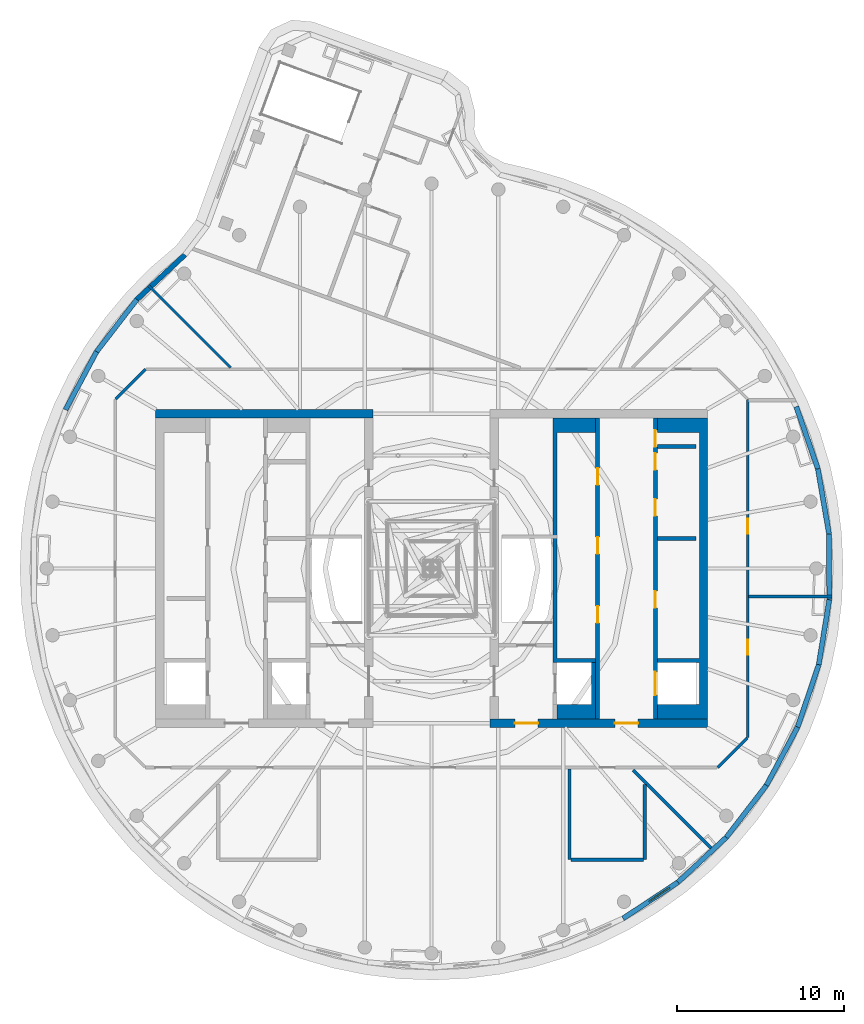
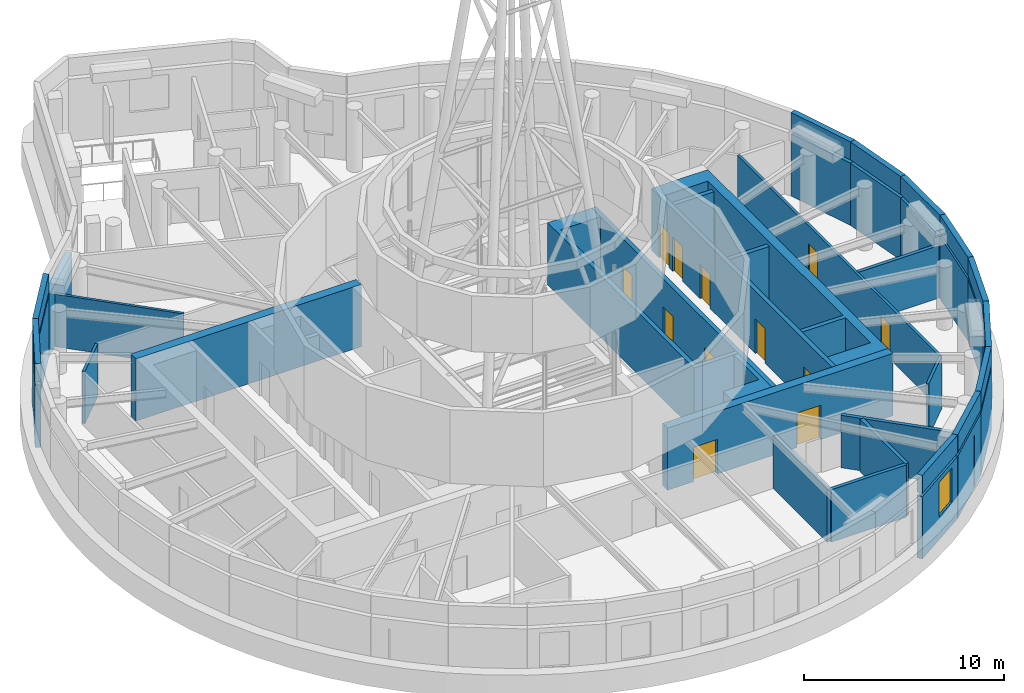
# One storey, part 13 of 17: 41 walls, 12 doors, 1 window, 13 openings.
"""IFC4 building model written with IfcOpenShell, lengths in metres."""

from ifc_helpers import new_model, si_unit, direction, frame, frame_2d, origin, place, context, subcontext, project, spatial, polyline, rectangle, outline, extrude, material, layer, layer_set, type_object, element, fill, save


model = new_model("IFC4")

# Units and contexts
model_context = context("Model", 3, precision=1e-05, world=origin(), true_north=direction((0.0, 1.0)))
body_context = subcontext(model_context, "Body", "Model", "MODEL_VIEW")
ifc_project = project(units=[si_unit("LENGTHUNIT", "METRE"), si_unit("AREAUNIT", "SQUARE_METRE"), si_unit("VOLUMEUNIT", "CUBIC_METRE"), si_unit("PLANEANGLEUNIT", "RADIAN"), si_unit("MASSUNIT", "GRAM", prefix="KILO")], contexts=[model_context])

# Site, building, storey
site_placement = place(None, origin())
site = spatial("IfcSite", under=ifc_project, at=site_placement, CompositionType="ELEMENT")
building_placement = place(site_placement, origin())
building = spatial("IfcBuilding", under=site, at=building_placement, Name="Tamarind Cross Interchange Tower", CompositionType="ELEMENT")
storey_placement = place(building_placement, frame((0.0, 0.0, 325.39990234375)))
storey = spatial("IfcBuildingStorey", under=building, at=storey_placement, Name="L80", CompositionType="ELEMENT", Elevation=325.39990234375)

# Wall
ifc_material_1 = material(Name="Concrete C50", Category="concrete")
ifc_layer_1 = layer(ifc_material_1, 0.5)
ifc_layer_set_1 = layer_set([ifc_layer_1], Name="Concrete C50")
wall_type_1 = type_object("IfcWallType", Name="Core wall 500 mm Concrete C50", PredefinedType="SHEAR", material=ifc_layer_set_1)
wall_1_placement = place(storey_placement, frame((-16.5, 9.25, 0.0), z_axis=(0.0, 0.0, 1.0), x_axis=(1.0, 0.0, 0.0)))
element("IfcWall", 1, at=wall_1_placement, inside=storey, type_object=wall_type_1, Name="Core wall CWL-L80-W-NE", PredefinedType="SHEAR", context=body_context, shape_type="SweptSolid", body=[
    extrude(rectangle(XDim=13.0, YDim=0.5, at=frame_2d((6.5, 0.0))), origin(), (0.0, 0.0, 1.0), 3.800048828125),
])

# Wall, openings, doors
wall_2_placement = place(storey_placement, frame((16.5, -9.25, 0.0), z_axis=(0.0, 0.0, 1.0), x_axis=(-1.0, 0.0, 0.0)))
wall_2 = element("IfcWall", 2, at=wall_2_placement, inside=storey, type_object=wall_type_1, Name="Core wall CWL-L80-E-S", PredefinedType="SHEAR", context=body_context, shape_type="SweptSolid", body=[
    extrude(rectangle(XDim=13.0, YDim=0.5, at=frame_2d((6.5, 0.0))), origin(), (0.0, 0.0, 1.0), 3.800048828125),
])
opening_1_placement = place(wall_2_placement, frame((4.14990234375, 0.0, 0.0)))
opening_1 = element("IfcOpeningElement", 3, at=opening_1_placement, cuts=wall_2, Name="Opening DCE1", PredefinedType="OPENING", context=body_context, shape_type="SweptSolid", body=[
    extrude(rectangle(XDim=1.39990234375, YDim=2.10009765625, at=frame_2d((0.699951171875, 1.050048828125))), frame((0.0, 0.260009765625, 0.0), z_axis=(0.0, -1.0, 0.0), x_axis=(1.0, 0.0, 0.0)), (0.0, 0.0, 1.0), 0.52001953125),
])
opening_2_placement = place(wall_2_placement, frame((10.125, 0.0, 0.0)))
opening_2 = element("IfcOpeningElement", 4, at=opening_2_placement, cuts=wall_2, Name="Opening DCEF", PredefinedType="OPENING", context=body_context, shape_type="SweptSolid", body=[
    extrude(rectangle(XDim=1.39990234375, YDim=2.10009765625, at=frame_2d((0.699951171875, 1.050048828125))), frame((0.0, 0.260009765625, 0.0), z_axis=(0.0, -1.0, 0.0), x_axis=(1.0, 0.0, 0.0)), (0.0, 0.0, 1.0), 0.52001953125),
])
ifc_material_2 = material(Name="Steel, fire-resisting", Category="steel")
door_type_1 = type_object("IfcDoorType", Name="Core fire door 1400 x 2100 FD90", OperationType="SINGLE_SWING_LEFT", PredefinedType="DOOR", material=ifc_material_2)
door_1_placement = place(opening_1_placement, origin())
door_1 = element("IfcDoor", 5, at=door_1_placement, inside=storey, type_object=door_type_1, Name="L80 lift lobby door", OperationType="SINGLE_SWING_LEFT", OverallHeight=2.10009765625, OverallWidth=1.39990234375, PredefinedType="DOOR", context=body_context, shape_type="SweptSolid", body=[
    extrude(rectangle(XDim=1.39990234375, YDim=2.10009765625, at=frame_2d((0.699951171875, 1.050048828125))), frame((0.0, 0.02490234375, 0.0), z_axis=(0.0, -1.0, 0.0), x_axis=(1.0, 0.0, 0.0)), (0.0, 0.0, 1.0), 0.050048828125),
])
fill(opening_1, door_1)
door_2_placement = place(opening_2_placement, origin())
door_2 = element("IfcDoor", 6, at=door_2_placement, inside=storey, type_object=door_type_1, Name="L80 firefighting lobby end door", OperationType="SINGLE_SWING_LEFT", OverallHeight=2.10009765625, OverallWidth=1.39990234375, PredefinedType="DOOR", context=body_context, shape_type="SweptSolid", body=[
    extrude(rectangle(XDim=1.39990234375, YDim=2.10009765625, at=frame_2d((0.699951171875, 1.050048828125))), frame((0.0, 0.02490234375, 0.0), z_axis=(0.0, -1.0, 0.0), x_axis=(1.0, 0.0, 0.0)), (0.0, 0.0, 1.0), 0.050048828125),
])
fill(opening_2, door_2)

# Walls
wall_3_placement = place(storey_placement, origin())
element("IfcWall", 7, at=wall_3_placement, inside=storey, type_object=wall_type_1, Name="Core wall CWL-L80-E-A", PredefinedType="SHEAR", context=body_context, shape_type="SweptSolid", body=[
    extrude(outline(polyline([(13.5, -8.125), (13.5, -9.0), (16.0, -9.0), (16.5, -9.0), (16.5, 9.0), (16.0, 9.0), (13.5, 9.0), (13.5, 8.125), (16.0, 8.125), (16.0, -5.375), (13.5, -5.375), (13.5, -5.625), (16.0, -5.625), (16.0, -8.125), (13.5, -8.125)])), origin(), (0.0, 0.0, 1.0), 3.800048828125),
])
ifc_layer_2 = layer(ifc_material_1, 0.25)
ifc_layer_set_2 = layer_set([ifc_layer_2], Name="Concrete C50")
wall_type_2 = type_object("IfcWallType", Name="Core web wall 250 mm Concrete C50", PredefinedType="SHEAR", material=ifc_layer_set_2)
wall_4_placement = place(storey_placement, origin())
element("IfcWall", 8, at=wall_4_placement, inside=storey, type_object=wall_type_2, Name="Core wall CWL-L80-E-BN", PredefinedType="SHEAR", context=body_context, shape_type="SweptSolid", body=[
    extrude(outline(polyline([(9.800048828125, -5.625), (9.800048828125, -5.375), (7.5, -5.375), (7.5, 8.125), (9.800048828125, 8.125), (9.800048828125, 9.0), (7.5, 9.0), (7.25, 9.0), (7.25, -5.625), (7.5, -5.625), (9.800048828125, -5.625)])), origin(), (0.0, 0.0, 1.0), 3.800048828125),
])
wall_5_placement = place(storey_placement, origin())
element("IfcWall", 9, at=wall_5_placement, inside=storey, type_object=wall_type_2, Name="Core wall CWL-L80-E-BS", PredefinedType="SHEAR", context=body_context, shape_type="SweptSolid", body=[
    extrude(outline(polyline([(7.5, -8.125), (7.5, -9.0), (9.800048828125, -9.0), (9.800048828125, -8.125), (9.800048828125, -5.625), (9.550048828125, -5.625), (9.550048828125, -8.125), (7.5, -8.125)])), origin(), (0.0, 0.0, 1.0), 3.800048828125),
])

# Wall, openings, doors
wall_6_placement = place(storey_placement, frame((13.375, -9.0, 0.0), z_axis=(0.0, 0.0, 1.0), x_axis=(0.0, 1.0, 0.0)))
wall_6 = element("IfcWall", 10, at=wall_6_placement, inside=storey, type_object=wall_type_2, Name="Core wall CWL-L80-E-LA", PredefinedType="SHEAR", context=body_context, shape_type="SweptSolid", body=[
    extrude(rectangle(XDim=18.0, YDim=0.25, at=frame_2d((9.0, 0.0))), origin(), (0.0, 0.0, 1.0), 3.800048828125),
])
opening_3_placement = place(wall_6_placement, frame((1.425048828125, 0.0, 0.0)))
opening_3 = element("IfcOpeningElement", 11, at=opening_3_placement, cuts=wall_6, Name="Opening LD13L80", PredefinedType="OPENING", context=body_context, shape_type="SweptSolid", body=[
    extrude(rectangle(XDim=1.39990234375, YDim=2.10009765625, at=frame_2d((0.699951171875, 1.050048828125))), frame((0.0, 0.135009765625, 0.0), z_axis=(0.0, -1.0, 0.0), x_axis=(1.0, 0.0, 0.0)), (0.0, 0.0, 1.0), 0.27001953125),
])
opening_4_placement = place(wall_6_placement, frame((6.64599609375, 0.0, 0.0)))
opening_4 = element("IfcOpeningElement", 12, at=opening_4_placement, cuts=wall_6, Name="Opening DCE9", PredefinedType="OPENING", context=body_context, shape_type="SweptSolid", body=[
    extrude(rectangle(XDim=1.0, YDim=2.10009765625, at=frame_2d((0.5, 1.050048828125))), frame((0.0, 0.135009765625, 0.0), z_axis=(0.0, -1.0, 0.0), x_axis=(1.0, 0.0, 0.0)), (0.0, 0.0, 1.0), 0.27001953125),
])
opening_5_placement = place(wall_6_placement, frame((12.14599609375, 0.0, 0.0)))
opening_5 = element("IfcOpeningElement", 13, at=opening_5_placement, cuts=wall_6, Name="Opening DCE10", PredefinedType="OPENING", context=body_context, shape_type="SweptSolid", body=[
    extrude(rectangle(XDim=1.0, YDim=2.10009765625, at=frame_2d((0.5, 1.050048828125))), frame((0.0, 0.135009765625, 0.0), z_axis=(0.0, -1.0, 0.0), x_axis=(1.0, 0.0, 0.0)), (0.0, 0.0, 1.0), 0.27001953125),
])
opening_6_placement = place(wall_6_placement, frame((14.89599609375, 0.0, 0.0)))
opening_6 = element("IfcOpeningElement", 14, at=opening_6_placement, cuts=wall_6, Name="Opening DCE17", PredefinedType="OPENING", context=body_context, shape_type="SweptSolid", body=[
    extrude(rectangle(XDim=1.0, YDim=2.10009765625, at=frame_2d((0.5, 1.050048828125))), frame((0.0, 0.135009765625, 0.0), z_axis=(0.0, -1.0, 0.0), x_axis=(1.0, 0.0, 0.0)), (0.0, 0.0, 1.0), 0.27001953125),
])
opening_7_placement = place(wall_6_placement, frame((16.27099609375, 0.0, 0.0)))
opening_7 = element("IfcOpeningElement", 15, at=opening_7_placement, cuts=wall_6, Name="Opening DCE18", PredefinedType="OPENING", context=body_context, shape_type="SweptSolid", body=[
    extrude(rectangle(XDim=1.0, YDim=2.10009765625, at=frame_2d((0.5, 1.050048828125))), frame((0.0, 0.135009765625, 0.0), z_axis=(0.0, -1.0, 0.0), x_axis=(1.0, 0.0, 0.0)), (0.0, 0.0, 1.0), 0.27001953125),
])
door_type_2 = type_object("IfcDoorType", Name="Core fire door 1000 x 2100 FD90", OperationType="SINGLE_SWING_LEFT", PredefinedType="DOOR", material=ifc_material_2)
door_3_placement = place(opening_4_placement, origin())
door_3 = element("IfcDoor", 16, at=door_3_placement, inside=storey, type_object=door_type_2, Name="L80 Battery room door", OperationType="SINGLE_SWING_LEFT", OverallHeight=2.10009765625, OverallWidth=1.0, PredefinedType="DOOR", context=body_context, shape_type="SweptSolid", body=[
    extrude(rectangle(XDim=1.0, YDim=2.10009765625, at=frame_2d((0.5, 1.050048828125))), frame((0.0, 0.02490234375, 0.0), z_axis=(0.0, -1.0, 0.0), x_axis=(1.0, 0.0, 0.0)), (0.0, 0.0, 1.0), 0.050048828125),
])
fill(opening_4, door_3)
door_4_placement = place(opening_5_placement, origin())
door_4 = element("IfcDoor", 17, at=door_4_placement, inside=storey, type_object=door_type_2, Name="L80 Switch room door", OperationType="SINGLE_SWING_LEFT", OverallHeight=2.10009765625, OverallWidth=1.0, PredefinedType="DOOR", context=body_context, shape_type="SweptSolid", body=[
    extrude(rectangle(XDim=1.0, YDim=2.10009765625, at=frame_2d((0.5, 1.050048828125))), frame((0.0, 0.02490234375, 0.0), z_axis=(0.0, -1.0, 0.0), x_axis=(1.0, 0.0, 0.0)), (0.0, 0.0, 1.0), 0.050048828125),
])
fill(opening_5, door_4)
door_5_placement = place(opening_6_placement, origin())
door_5 = element("IfcDoor", 18, at=door_5_placement, inside=storey, type_object=door_type_2, Name="L80 Storage room door", OperationType="SINGLE_SWING_LEFT", OverallHeight=2.10009765625, OverallWidth=1.0, PredefinedType="DOOR", context=body_context, shape_type="SweptSolid", body=[
    extrude(rectangle(XDim=1.0, YDim=2.10009765625, at=frame_2d((0.5, 1.050048828125))), frame((0.0, 0.02490234375, 0.0), z_axis=(0.0, -1.0, 0.0), x_axis=(1.0, 0.0, 0.0)), (0.0, 0.0, 1.0), 0.050048828125),
])
fill(opening_6, door_5)
door_6_placement = place(opening_7_placement, origin())
door_6 = element("IfcDoor", 19, at=door_6_placement, inside=storey, type_object=door_type_2, Name="L80 Battery room door", OperationType="SINGLE_SWING_LEFT", OverallHeight=2.10009765625, OverallWidth=1.0, PredefinedType="DOOR", context=body_context, shape_type="SweptSolid", body=[
    extrude(rectangle(XDim=1.0, YDim=2.10009765625, at=frame_2d((0.5, 1.050048828125))), frame((0.0, 0.02490234375, 0.0), z_axis=(0.0, -1.0, 0.0), x_axis=(1.0, 0.0, 0.0)), (0.0, 0.0, 1.0), 0.050048828125),
])
fill(opening_7, door_6)
ifc_material_3 = material(Name="Stainless steel panel", Category="steel")
door_type_3 = type_object("IfcDoorType", Name="Lift landing door 1400 x 2100 E 120", OperationType="SLIDING_TO_LEFT", PredefinedType="DOOR", material=ifc_material_3)
door_7_placement = place(opening_3_placement, origin())
door_7 = element("IfcDoor", 20, at=door_7_placement, inside=storey, type_object=door_type_3, Name="L80 landing door LF13", OperationType="SLIDING_TO_LEFT", OverallHeight=2.10009765625, OverallWidth=1.39990234375, PredefinedType="DOOR", context=body_context, shape_type="SweptSolid", body=[
    extrude(rectangle(XDim=1.39990234375, YDim=2.10009765625, at=frame_2d((0.699951171875, 1.050048828125))), frame((0.0, 0.02490234375, 0.0), z_axis=(0.0, -1.0, 0.0), x_axis=(1.0, 0.0, 0.0)), (0.0, 0.0, 1.0), 0.050048828125),
])
fill(opening_3, door_7)

wall_7_placement = place(storey_placement, frame((9.925048828125, -9.0, 0.0), z_axis=(0.0, 0.0, 1.0), x_axis=(0.0, 1.0, 0.0)))
wall_7 = element("IfcWall", 21, at=wall_7_placement, inside=storey, type_object=wall_type_2, Name="Core wall CWL-L80-E-LB", PredefinedType="SHEAR", context=body_context, shape_type="SweptSolid", body=[
    extrude(rectangle(XDim=18.0, YDim=0.25, at=frame_2d((9.0, 0.0))), origin(), (0.0, 0.0, 1.0), 3.800048828125),
])
opening_8_placement = place(wall_7_placement, frame((5.75, 0.0, 0.0)))
opening_8 = element("IfcOpeningElement", 22, at=opening_8_placement, cuts=wall_7, Name="Opening DCE21", PredefinedType="OPENING", context=body_context, shape_type="SweptSolid", body=[
    extrude(rectangle(XDim=1.0, YDim=2.10009765625, at=frame_2d((0.5, 1.050048828125))), frame((0.0, 0.135009765625, 0.0), z_axis=(0.0, -1.0, 0.0), x_axis=(1.0, 0.0, 0.0)), (0.0, 0.0, 1.0), 0.27001953125),
])
opening_9_placement = place(wall_7_placement, frame((9.875, 0.0, 0.0)))
opening_9 = element("IfcOpeningElement", 23, at=opening_9_placement, cuts=wall_7, Name="Opening DCE21", PredefinedType="OPENING", context=body_context, shape_type="SweptSolid", body=[
    extrude(rectangle(XDim=1.0, YDim=2.10009765625, at=frame_2d((0.5, 1.050048828125))), frame((0.0, 0.135009765625, 0.0), z_axis=(0.0, -1.0, 0.0), x_axis=(1.0, 0.0, 0.0)), (0.0, 0.0, 1.0), 0.27001953125),
])
opening_10_placement = place(wall_7_placement, frame((14.0, 0.0, 0.0)))
opening_10 = element("IfcOpeningElement", 24, at=opening_10_placement, cuts=wall_7, Name="Opening DCE21", PredefinedType="OPENING", context=body_context, shape_type="SweptSolid", body=[
    extrude(rectangle(XDim=1.0, YDim=2.10009765625, at=frame_2d((0.5, 1.050048828125))), frame((0.0, 0.135009765625, 0.0), z_axis=(0.0, -1.0, 0.0), x_axis=(1.0, 0.0, 0.0)), (0.0, 0.0, 1.0), 0.27001953125),
])
door_8_placement = place(opening_8_placement, origin())
door_8 = element("IfcDoor", 25, at=door_8_placement, inside=storey, type_object=door_type_2, Name="L80 Storage room door", OperationType="SINGLE_SWING_LEFT", OverallHeight=2.10009765625, OverallWidth=1.0, PredefinedType="DOOR", context=body_context, shape_type="SweptSolid", body=[
    extrude(rectangle(XDim=1.0, YDim=2.10009765625, at=frame_2d((0.5, 1.050048828125))), frame((0.0, 0.02490234375, 0.0), z_axis=(0.0, -1.0, 0.0), x_axis=(1.0, 0.0, 0.0)), (0.0, 0.0, 1.0), 0.050048828125),
])
fill(opening_8, door_8)
door_9_placement = place(opening_9_placement, origin())
door_9 = element("IfcDoor", 26, at=door_9_placement, inside=storey, type_object=door_type_2, Name="L80 Battery room door", OperationType="SINGLE_SWING_LEFT", OverallHeight=2.10009765625, OverallWidth=1.0, PredefinedType="DOOR", context=body_context, shape_type="SweptSolid", body=[
    extrude(rectangle(XDim=1.0, YDim=2.10009765625, at=frame_2d((0.5, 1.050048828125))), frame((0.0, 0.02490234375, 0.0), z_axis=(0.0, -1.0, 0.0), x_axis=(1.0, 0.0, 0.0)), (0.0, 0.0, 1.0), 0.050048828125),
])
fill(opening_9, door_9)
door_10_placement = place(opening_10_placement, origin())
door_10 = element("IfcDoor", 27, at=door_10_placement, inside=storey, type_object=door_type_2, Name="L80 Switch room door", OperationType="SINGLE_SWING_LEFT", OverallHeight=2.10009765625, OverallWidth=1.0, PredefinedType="DOOR", context=body_context, shape_type="SweptSolid", body=[
    extrude(rectangle(XDim=1.0, YDim=2.10009765625, at=frame_2d((0.5, 1.050048828125))), frame((0.0, 0.02490234375, 0.0), z_axis=(0.0, -1.0, 0.0), x_axis=(1.0, 0.0, 0.0)), (0.0, 0.0, 1.0), 0.050048828125),
])
fill(opening_10, door_10)

# Walls
ifc_material_4 = material(Name="Concrete C40", Category="concrete")
ifc_layer_3 = layer(ifc_material_4, 0.300048828125)
ifc_layer_set_3 = layer_set([ifc_layer_3], Name="Concrete C40")
wall_type_3 = type_object("IfcWallType", Name="Parapet upstand", PredefinedType="PARAPET", material=ifc_layer_set_3)
for number, where, z_axis, x_axis, name in (
    (28, (-17.61328125, 16.07470703125, 4.0), (0.0, 0.0, 1.0), (-0.610785688376, -0.79179596038, 0.0), "EXW-L80-P02-02"),
    (29, (-20.018798828125, 12.956298828125, 4.0), (0.0, 0.0, 1.0), (-0.472180126088, -0.881502086513, 0.0), "EXW-L80-P02-03"),
    (30, (11.439453125, -20.9228515625, 4.0), (0.0, 0.0, 1.0), (0.834786621205, 0.550573607302, 0.0), "EXW-L80-P02-19"),
):
    element("IfcWall", number, at=place(storey_placement, frame(where, z_axis=z_axis, x_axis=x_axis)), inside=storey, type_object=wall_type_3, Name=name, PredefinedType="PARAPET", context=body_context, shape_type="SweptSolid", body=[
        extrude(rectangle(XDim=3.9384765625, YDim=0.300048828125, at=frame_2d((1.96923828125, 0.0))), origin(), (0.0, 0.0, 1.0), 1.10009765625),
    ])
wall_8_placement = place(storey_placement, frame((14.727294921875, -18.75439453125, 4.0), z_axis=(0.0, 0.0, 1.0), x_axis=(0.732813362883, 0.680429698926, 0.0)))
element("IfcWall", 31, at=wall_8_placement, inside=storey, type_object=wall_type_3, Name="EXW-L80-P02-20", PredefinedType="PARAPET", context=body_context, shape_type="SweptSolid", body=[
    extrude(rectangle(XDim=3.938232421875, YDim=0.300048828125, at=frame_2d((1.96923828125, 0.0))), origin(), (0.0, 0.0, 1.0), 1.10009765625),
])
for number, where, z_axis, x_axis, name in (
    (32, (17.61328125, -16.07470703125, 4.0), (0.0, 0.0, 1.0), (0.610785688376, 0.79179596038, 0.0), "EXW-L80-P02-21"),
    (33, (20.018798828125, -12.956298828125, 4.0), (0.0, 0.0, 1.0), (0.472180126088, 0.881502086513, 0.0), "EXW-L80-P02-22"),
    (34, (21.87841796875, -9.484619140625, 4.0), (0.0, 0.0, 1.0), (0.320613287718, 0.947210177172, 0.0), "EXW-L80-P02-23"),
):
    element("IfcWall", number, at=place(storey_placement, frame(where, z_axis=z_axis, x_axis=x_axis)), inside=storey, type_object=wall_type_3, Name=name, PredefinedType="PARAPET", context=body_context, shape_type="SweptSolid", body=[
        extrude(rectangle(XDim=3.9384765625, YDim=0.300048828125, at=frame_2d((1.96923828125, 0.0))), origin(), (0.0, 0.0, 1.0), 1.10009765625),
    ])
wall_9_placement = place(storey_placement, frame((23.14111328125, -5.754150390625, 4.0), z_axis=(0.0, 0.0, 1.0), x_axis=(0.160376439891, 0.987055924215, 0.0)))
element("IfcWall", 35, at=wall_9_placement, inside=storey, type_object=wall_type_3, Name="EXW-L80-P02-24", PredefinedType="PARAPET", context=body_context, shape_type="SweptSolid", body=[
    extrude(rectangle(XDim=3.938232421875, YDim=0.300048828125, at=frame_2d((1.96923828125, 0.0))), origin(), (0.0, 0.0, 1.0), 1.10009765625),
])
wall_10_placement = place(storey_placement, frame((23.772705078125, -1.866943359375, 4.0), z_axis=(0.0, 0.0, 1.0), x_axis=(-0.004339160737, 0.999990585798, 0.0)))
element("IfcWall", 36, at=wall_10_placement, inside=storey, type_object=wall_type_3, Name="EXW-L80-P02-25", PredefinedType="PARAPET", context=body_context, shape_type="SweptSolid", body=[
    extrude(rectangle(XDim=3.9384765625, YDim=0.300048828125, at=frame_2d((1.96923828125, 0.0))), origin(), (0.0, 0.0, 1.0), 1.10009765625),
])
wall_11_placement = place(storey_placement, frame((23.755615234375, 2.071533203125, 4.0), z_axis=(0.0, 0.0, 1.0), x_axis=(-0.168810670753, 0.985648495885, 0.0)))
element("IfcWall", 37, at=wall_11_placement, inside=storey, type_object=wall_type_3, Name="EXW-L80-P02-26", PredefinedType="PARAPET", context=body_context, shape_type="SweptSolid", body=[
    extrude(rectangle(XDim=3.93798828125, YDim=0.300048828125, at=frame_2d((1.968994140625, 0.0))), origin(), (0.0, 0.0, 1.0), 1.10009765625),
])
wall_12_placement = place(storey_placement, frame((23.0908203125, 5.953125, 4.0), z_axis=(0.0, 0.0, 1.0), x_axis=(-0.328789892836, 0.944403095277, 0.0)))
element("IfcWall", 38, at=wall_12_placement, inside=storey, type_object=wall_type_3, Name="EXW-L80-P02-27", PredefinedType="PARAPET", context=body_context, shape_type="SweptSolid", body=[
    extrude(rectangle(XDim=3.9384765625, YDim=0.300048828125, at=frame_2d((1.96923828125, 0.0))), origin(), (0.0, 0.0, 1.0), 1.10009765625),
])
ifc_material_5 = material(Name="Gypsum board partition on steel studs", Category="steel")
ifc_layer_4 = layer(ifc_material_5, 0.14990234375)
ifc_layer_set_4 = layer_set([ifc_layer_4], Name="Gypsum board partition on steel studs")
wall_type_4 = type_object("IfcWallType", Name="Partition 150 mm EI 120", PredefinedType="PARTITIONING", material=ifc_layer_set_4)
wall_13_placement = place(storey_placement, frame((-16.921142578125, 16.921142578125, 0.0), z_axis=(0.0, 0.0, 1.0), x_axis=(0.707106781187, -0.707106781187, 0.0)))
element("IfcWall", 39, at=wall_13_placement, inside=storey, type_object=wall_type_4, Name="Partition L80-002", PredefinedType="PARTITIONING", context=body_context, shape_type="SweptSolid", body=[
    extrude(rectangle(XDim=6.946044921875, YDim=0.14990234375, at=frame_2d((3.47314453125, 0.0))), origin(), (0.0, 0.0, 1.0), 3.2001953125),
])
for number, where, z_axis, x_axis, name in (
    (40, (-18.87158203125, 10.12841796875, 0.0), (0.0, 0.0, 1.0), (0.707106781187, 0.707106781187, 0.0), "Partition L80-018"),
    (41, (17.10009765625, -11.89990234375, 0.0), (0.0, 0.0, 1.0), (0.707106781187, 0.707106781187, 0.0), "Partition L80-021"),
):
    element("IfcWall", number, at=place(storey_placement, frame(where, z_axis=z_axis, x_axis=x_axis)), inside=storey, type_object=wall_type_4, Name=name, PredefinedType="PARTITIONING", context=body_context, shape_type="SweptSolid", body=[
        extrude(rectangle(XDim=2.50537109375, YDim=0.14990234375, at=frame_2d((1.252685546875, 0.0))), origin(), (0.0, 0.0, 1.0), 3.2001953125),
    ])

# Wall, openings, doors
wall_14_placement = place(storey_placement, frame((18.89990234375, -10.10009765625, 0.0), z_axis=(0.0, 0.0, 1.0), x_axis=(0.0, 1.0, 0.0)))
wall_14 = element("IfcWall", 42, at=wall_14_placement, inside=storey, type_object=wall_type_4, Name="Partition L80-036", PredefinedType="PARTITIONING", context=body_context, shape_type="SweptSolid", body=[
    extrude(rectangle(XDim=20.2001953125, YDim=0.14990234375, at=frame_2d((10.10009765625, 0.0))), origin(), (0.0, 0.0, 1.0), 3.2001953125),
])
opening_11_placement = place(wall_14_placement, frame((4.949951171875, 0.0, 0.0)))
opening_11 = element("IfcOpeningElement", 43, at=opening_11_placement, cuts=wall_14, Name="Opening D17", PredefinedType="OPENING", context=body_context, shape_type="SweptSolid", body=[
    extrude(rectangle(XDim=0.89990234375, YDim=2.10009765625, at=frame_2d((0.449951171875, 1.050048828125))), frame((0.0, 0.0849609375, 0.0), z_axis=(0.0, -1.0, 0.0), x_axis=(1.0, 0.0, 0.0)), (0.0, 0.0, 1.0), 0.169921875),
])
opening_12_placement = place(wall_14_placement, frame((12.176025390625, 0.0, 0.0)))
opening_12 = element("IfcOpeningElement", 44, at=opening_12_placement, cuts=wall_14, Name="Opening D18", PredefinedType="OPENING", context=body_context, shape_type="SweptSolid", body=[
    extrude(rectangle(XDim=0.89990234375, YDim=2.10009765625, at=frame_2d((0.449951171875, 1.050048828125))), frame((0.0, 0.0849609375, 0.0), z_axis=(0.0, -1.0, 0.0), x_axis=(1.0, 0.0, 0.0)), (0.0, 0.0, 1.0), 0.169921875),
])
ifc_material_6 = material(Name="Fire-resisting door set")
door_type_4 = type_object("IfcDoorType", Name="Interior door 900 x 2100 FD60S", OperationType="SINGLE_SWING_LEFT", PredefinedType="DOOR", material=ifc_material_6)
door_11_placement = place(opening_11_placement, frame((0.89990234375, 0.0, 0.0), z_axis=(0.0, 0.0, 1.0), x_axis=(-1.0, 0.0, 0.0)))
door_11 = element("IfcDoor", 45, at=door_11_placement, inside=storey, type_object=door_type_4, Name="Door D17", OperationType="SINGLE_SWING_LEFT", OverallHeight=2.10009765625, OverallWidth=0.89990234375, PredefinedType="DOOR", context=body_context, shape_type="SweptSolid", body=[
    extrude(rectangle(XDim=0.89990234375, YDim=2.10009765625, at=frame_2d((0.449951171875, 1.050048828125))), frame((0.0, 0.02490234375, 0.0), z_axis=(0.0, -1.0, 0.0), x_axis=(1.0, 0.0, 0.0)), (0.0, 0.0, 1.0), 0.050048828125),
])
fill(opening_11, door_11)
door_12_placement = place(opening_12_placement, frame((0.89990234375, 0.0, 0.0), z_axis=(0.0, 0.0, 1.0), x_axis=(-1.0, 0.0, 0.0)))
door_12 = element("IfcDoor", 46, at=door_12_placement, inside=storey, type_object=door_type_4, Name="Door D18", OperationType="SINGLE_SWING_RIGHT", OverallHeight=2.10009765625, OverallWidth=0.89990234375, PredefinedType="DOOR", context=body_context, shape_type="SweptSolid", body=[
    extrude(rectangle(XDim=0.89990234375, YDim=2.10009765625, at=frame_2d((0.449951171875, 1.050048828125))), frame((0.0, 0.02490234375, 0.0), z_axis=(0.0, -1.0, 0.0), x_axis=(1.0, 0.0, 0.0)), (0.0, 0.0, 1.0), 0.050048828125),
])
fill(opening_12, door_12)

# Walls
ifc_layer_5 = layer(ifc_material_5, 0.199951171875)
ifc_layer_set_5 = layer_set([ifc_layer_5], Name="Gypsum board partition on steel studs")
wall_type_5 = type_object("IfcWallType", Name="Partition 200 mm EI 180", PredefinedType="PARTITIONING", material=ifc_layer_set_5)
wall_15_placement = place(storey_placement, frame((12.052001953125, -12.052001953125, 0.0), z_axis=(0.0, 0.0, 1.0), x_axis=(0.707106781187, -0.707106781187, 0.0)))
element("IfcWall", 47, at=wall_15_placement, inside=storey, type_object=wall_type_5, Name="Partition L80-003", PredefinedType="PARTITIONING", context=body_context, shape_type="SweptSolid", body=[
    extrude(rectangle(XDim=6.8857421875, YDim=0.199951171875, at=frame_2d((3.44287109375, 0.0))), origin(), (0.0, 0.0, 1.0), 3.2001953125),
])
wall_16_placement = place(storey_placement, frame((8.321044921875, -17.39990234375, 0.0), z_axis=(0.0, 0.0, 1.0), x_axis=(1.0, 0.0, 0.0)))
element("IfcWall", 48, at=wall_16_placement, inside=storey, type_object=wall_type_5, Name="Partition L80-015", PredefinedType="PARTITIONING", context=body_context, shape_type="SweptSolid", body=[
    extrude(rectangle(XDim=4.33984375, YDim=0.199951171875, at=frame_2d((2.169921875, 0.0))), origin(), (0.0, 0.0, 1.0), 3.2001953125),
])
wall_17_placement = place(storey_placement, frame((18.955078125, -1.674072265625, 0.0), z_axis=(0.0, 0.0, 1.0), x_axis=(1.0, 0.0, 0.0)))
element("IfcWall", 49, at=wall_17_placement, inside=storey, type_object=wall_type_5, Name="Partition L80-016", PredefinedType="PARTITIONING", context=body_context, shape_type="SweptSolid", body=[
    extrude(rectangle(XDim=4.9658203125, YDim=0.199951171875, at=frame_2d((2.48291015625, 0.0))), origin(), (0.0, 0.0, 1.0), 3.2001953125),
])
wall_18_placement = place(storey_placement, frame((8.240966796875, -17.39990234375, 0.0), z_axis=(0.0, 0.0, 1.0), x_axis=(0.0, 1.0, 0.0)))
element("IfcWall", 50, at=wall_18_placement, inside=storey, type_object=wall_type_5, Name="Partition L80-034", PredefinedType="PARTITIONING", context=body_context, shape_type="SweptSolid", body=[
    extrude(rectangle(XDim=5.419921875, YDim=0.199951171875, at=frame_2d((2.7099609375, 0.0))), origin(), (0.0, 0.0, 1.0), 3.2001953125),
])
wall_19_placement = place(storey_placement, frame((12.740966796875, -17.39990234375, 0.0), z_axis=(0.0, 0.0, 1.0), x_axis=(0.0, 1.0, 0.0)))
element("IfcWall", 51, at=wall_19_placement, inside=storey, type_object=wall_type_5, Name="Partition L80-035", PredefinedType="PARTITIONING", context=body_context, shape_type="SweptSolid", body=[
    extrude(rectangle(XDim=4.4990234375, YDim=0.199951171875, at=frame_2d((2.24951171875, 0.0))), origin(), (0.0, 0.0, 1.0), 3.2001953125),
])
ifc_material_7 = material(Name="Precast concrete C40", Category="concrete")
ifc_layer_6 = layer(ifc_material_7, 0.300048828125)
ifc_layer_set_6 = layer_set([ifc_layer_6], Name="Precast concrete C40")
wall_type_6 = type_object("IfcWallType", Name="Plant louvre wall", PredefinedType="SOLIDWALL", material=ifc_layer_set_6)
wall_20_placement = place(storey_placement, frame((-14.738525390625, 18.7451171875, 0.0), z_axis=(0.0, 0.0, 1.0), x_axis=(-0.73266715928, -0.680587124263, 0.0)))
element("IfcWall", 52, at=wall_20_placement, inside=storey, type_object=wall_type_6, Name="EXW-L80-02-01", PredefinedType="SOLIDWALL", context=body_context, shape_type="SweptSolid", body=[
    extrude(rectangle(XDim=3.923583984375, YDim=0.300048828125, at=frame_2d((1.9619140625, 0.0))), origin(), (0.0, 0.0, 1.0), 3.800048828125),
])
for number, where, z_axis, x_axis, name in (
    (53, (-17.61328125, 16.07470703125, 0.0), (0.0, 0.0, 1.0), (-0.610785688376, -0.79179596038, 0.0), "EXW-L80-02-02"),
    (54, (-20.018798828125, 12.956298828125, 0.0), (0.0, 0.0, 1.0), (-0.472180126088, -0.881502086513, 0.0), "EXW-L80-02-03"),
):
    element("IfcWall", number, at=place(storey_placement, frame(where, z_axis=z_axis, x_axis=x_axis)), inside=storey, type_object=wall_type_6, Name=name, PredefinedType="SOLIDWALL", context=body_context, shape_type="SweptSolid", body=[
        extrude(rectangle(XDim=3.9384765625, YDim=0.300048828125, at=frame_2d((1.96923828125, 0.0))), origin(), (0.0, 0.0, 1.0), 3.800048828125),
    ])

# Wall, opening, window
wall_21_placement = place(storey_placement, frame((11.439453125, -20.9228515625, 0.0), z_axis=(0.0, 0.0, 1.0), x_axis=(0.834786621205, 0.550573607302, 0.0)))
wall_21 = element("IfcWall", 55, at=wall_21_placement, inside=storey, type_object=wall_type_6, Name="EXW-L80-02-19", PredefinedType="SOLIDWALL", context=body_context, shape_type="SweptSolid", body=[
    extrude(rectangle(XDim=3.9384765625, YDim=0.300048828125, at=frame_2d((1.96923828125, 0.0))), origin(), (0.0, 0.0, 1.0), 3.800048828125),
])
opening_13_placement = place(wall_21_placement, frame((1.853271484375, 0.0, 1.39990234375)))
opening_13 = element("IfcOpeningElement", 56, at=opening_13_placement, cuts=wall_21, Name="Opening W2", PredefinedType="OPENING", context=body_context, shape_type="SweptSolid", body=[
    extrude(rectangle(XDim=1.485107421875, YDim=2.10009765625, at=frame_2d((0.74267578125, 1.050048828125))), frame((0.0, 0.159912109375, 0.0), z_axis=(0.0, -1.0, 0.0), x_axis=(1.0, 0.0, 0.0)), (0.0, 0.0, 1.0), 0.320068359375),
])
ifc_material_8 = material(Name="Aluminium louvre", Category="aluminium")
window_type = type_object("IfcWindowType", Name="Plant louvre bank", PartitioningType="SINGLE_PANEL", PredefinedType="WINDOW", material=ifc_material_8)
window_placement = place(opening_13_placement, origin())
window = element("IfcWindow", 57, at=window_placement, inside=storey, type_object=window_type, Name="WIN-L80-02-19", OverallHeight=2.10009765625, OverallWidth=1.485107421875, PartitioningType="SINGLE_PANEL", PredefinedType="WINDOW", context=body_context, shape_type="SweptSolid", body=[
    extrude(rectangle(XDim=1.485107421875, YDim=2.10009765625, at=frame_2d((0.74267578125, 1.050048828125))), frame((0.0, 0.030029296875, 0.0), z_axis=(0.0, -1.0, 0.0), x_axis=(1.0, 0.0, 0.0)), (0.0, 0.0, 1.0), 0.06005859375),
])
fill(opening_13, window)

# Walls
wall_22_placement = place(storey_placement, frame((14.727294921875, -18.75439453125, 0.0), z_axis=(0.0, 0.0, 1.0), x_axis=(0.732813362883, 0.680429698926, 0.0)))
element("IfcWall", 58, at=wall_22_placement, inside=storey, type_object=wall_type_6, Name="EXW-L80-02-20", PredefinedType="SOLIDWALL", context=body_context, shape_type="SweptSolid", body=[
    extrude(rectangle(XDim=3.938232421875, YDim=0.300048828125, at=frame_2d((1.96923828125, 0.0))), origin(), (0.0, 0.0, 1.0), 3.800048828125),
])
for number, where, z_axis, x_axis, name in (
    (59, (17.61328125, -16.07470703125, 0.0), (0.0, 0.0, 1.0), (0.610785688376, 0.79179596038, 0.0), "EXW-L80-02-21"),
    (60, (20.018798828125, -12.956298828125, 0.0), (0.0, 0.0, 1.0), (0.472180126088, 0.881502086513, 0.0), "EXW-L80-02-22"),
    (61, (21.87841796875, -9.484619140625, 0.0), (0.0, 0.0, 1.0), (0.320613287718, 0.947210177172, 0.0), "EXW-L80-02-23"),
):
    element("IfcWall", number, at=place(storey_placement, frame(where, z_axis=z_axis, x_axis=x_axis)), inside=storey, type_object=wall_type_6, Name=name, PredefinedType="SOLIDWALL", context=body_context, shape_type="SweptSolid", body=[
        extrude(rectangle(XDim=3.9384765625, YDim=0.300048828125, at=frame_2d((1.96923828125, 0.0))), origin(), (0.0, 0.0, 1.0), 3.800048828125),
    ])
wall_23_placement = place(storey_placement, frame((23.14111328125, -5.754150390625, 0.0), z_axis=(0.0, 0.0, 1.0), x_axis=(0.160376439891, 0.987055924215, 0.0)))
element("IfcWall", 62, at=wall_23_placement, inside=storey, type_object=wall_type_6, Name="EXW-L80-02-24", PredefinedType="SOLIDWALL", context=body_context, shape_type="SweptSolid", body=[
    extrude(rectangle(XDim=3.938232421875, YDim=0.300048828125, at=frame_2d((1.96923828125, 0.0))), origin(), (0.0, 0.0, 1.0), 3.800048828125),
])
wall_24_placement = place(storey_placement, frame((23.772705078125, -1.866943359375, 0.0), z_axis=(0.0, 0.0, 1.0), x_axis=(-0.004339160737, 0.999990585798, 0.0)))
element("IfcWall", 63, at=wall_24_placement, inside=storey, type_object=wall_type_6, Name="EXW-L80-02-25", PredefinedType="SOLIDWALL", context=body_context, shape_type="SweptSolid", body=[
    extrude(rectangle(XDim=3.9384765625, YDim=0.300048828125, at=frame_2d((1.96923828125, 0.0))), origin(), (0.0, 0.0, 1.0), 3.800048828125),
])
wall_25_placement = place(storey_placement, frame((23.755615234375, 2.071533203125, 0.0), z_axis=(0.0, 0.0, 1.0), x_axis=(-0.168810670753, 0.985648495885, 0.0)))
element("IfcWall", 64, at=wall_25_placement, inside=storey, type_object=wall_type_6, Name="EXW-L80-02-26", PredefinedType="SOLIDWALL", context=body_context, shape_type="SweptSolid", body=[
    extrude(rectangle(XDim=3.93798828125, YDim=0.300048828125, at=frame_2d((1.968994140625, 0.0))), origin(), (0.0, 0.0, 1.0), 3.800048828125),
])
wall_26_placement = place(storey_placement, frame((23.0908203125, 5.953125, 0.0), z_axis=(0.0, 0.0, 1.0), x_axis=(-0.328789892836, 0.944403095277, 0.0)))
element("IfcWall", 65, at=wall_26_placement, inside=storey, type_object=wall_type_6, Name="EXW-L80-02-27", PredefinedType="SOLIDWALL", context=body_context, shape_type="SweptSolid", body=[
    extrude(rectangle(XDim=3.9384765625, YDim=0.300048828125, at=frame_2d((1.96923828125, 0.0))), origin(), (0.0, 0.0, 1.0), 3.800048828125),
])
ifc_layer_7 = layer(ifc_material_4, 0.25)
ifc_layer_set_7 = layer_set([ifc_layer_7], Name="Concrete C40")
wall_type_7 = type_object("IfcWallType", Name="Shaft and lobby wall 250 mm Concrete C40", PredefinedType="PARTITIONING", material=ifc_layer_set_7)
for number, where, z_axis, x_axis, name in (
    (66, (15.800048828125, 1.7919921875, 0.0), (0.0, 0.0, 1.0), (-1.0, 0.0, 0.0), "Shaft wall CWL-L80-E-FPA1"),
    (67, (15.800048828125, 7.2919921875, 0.0), (0.0, 0.0, 1.0), (-1.0, 0.0, 0.0), "Shaft wall CWL-L80-E-FPA5"),
):
    element("IfcWall", number, at=place(storey_placement, frame(where, z_axis=z_axis, x_axis=x_axis)), inside=storey, type_object=wall_type_7, Name=name, PredefinedType="PARTITIONING", context=body_context, shape_type="SweptSolid", body=[
        extrude(rectangle(XDim=2.300048828125, YDim=0.25, at=frame_2d((1.14990234375, 0.0))), origin(), (0.0, 0.0, 1.0), 3.800048828125),
    ])

save(model, "model.ifc")
